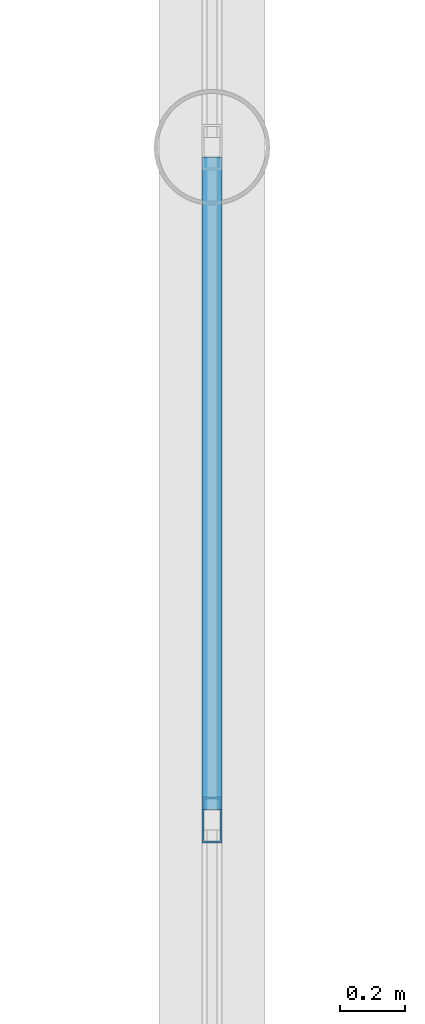
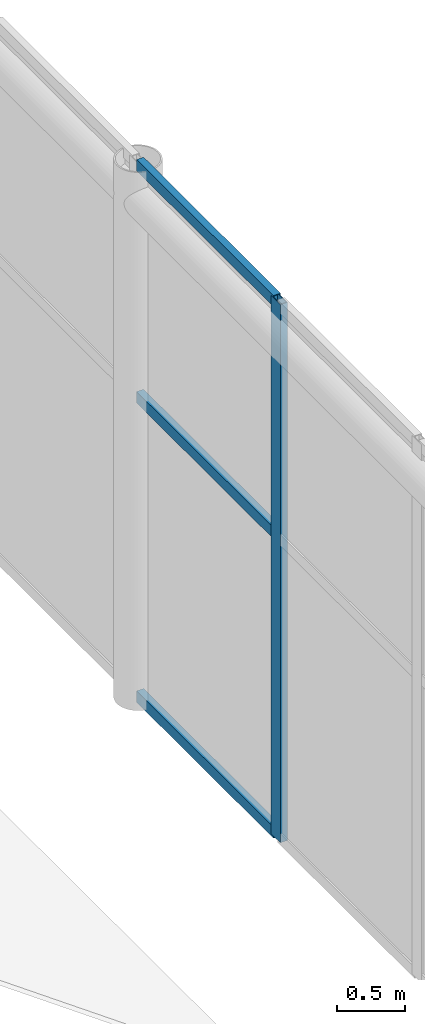
# One storey, part 67 of 167: 4 members, 1 element without a shape of its own.
"""IFC4 building model written with IfcOpenShell, lengths in metres."""

from ifc_helpers import new_model, si_unit, direction, frame, origin, origin_2d, place, context, subcontext, project, spatial, hollow_rectangle, extrude, material, material_profile, profile_set, type_object, element, aggregate, save


model = new_model("IFC4")

# Units and contexts
model_context = context("Model", 3, precision=1e-05, world=origin(), true_north=direction((0.0, 1.0)))
body_context = subcontext(model_context, "Body", "Model", "MODEL_VIEW")
ifc_project = project(units=[si_unit("LENGTHUNIT", "METRE"), si_unit("AREAUNIT", "SQUARE_METRE"), si_unit("VOLUMEUNIT", "CUBIC_METRE"), si_unit("PLANEANGLEUNIT", "RADIAN"), si_unit("MASSUNIT", "GRAM", prefix="KILO")], contexts=[model_context])

# Site, building, storey
site_placement = place(None, origin())
site = spatial("IfcSite", under=ifc_project, at=site_placement, CompositionType="ELEMENT")
building_placement = place(site_placement, origin())
building = spatial("IfcBuilding", under=site, at=building_placement, Name="Catenary Quay Ferry Terminal", CompositionType="ELEMENT")
storey_placement = place(building_placement, frame((0.0, 0.0, 6.0)))
storey = spatial("IfcBuildingStorey", under=building, at=storey_placement, Name="L01", CompositionType="ELEMENT", Elevation=6.0)

# Curtain wall, members
ifc_material_1 = material(Name="Aluminium and glass", Category="aluminium")
curtain_wall_type = type_object("IfcCurtainWallType", Name="CWG", PredefinedType="NOTDEFINED", material=ifc_material_1)
curtain_wall_placement = place(storey_placement, origin())
curtain_wall = element("IfcCurtainWall", 1, at=curtain_wall_placement, inside=storey, type_object=curtain_wall_type, Name="Gable departure hall curtain wall CW16", PredefinedType="NOTDEFINED")
ifc_material_2 = material(Name="Aluminium", Category="aluminium")
ifc_material_profile_1 = material_profile(ifc_material_2, hollow_rectangle(XDim=0.06005859375, YDim=0.139892578125, WallThickness=0.006103515625, at=origin_2d()), Name="MU2")
ifc_profile_set_1 = profile_set([ifc_material_profile_1], Name="Aluminium")
member_type_1 = type_object("IfcMemberType", Name="MU2", PredefinedType="MULLION", material=ifc_profile_set_1)
member_1_placement = place(storey_placement, frame((25.199951171875, 123.9375, 0.0), z_axis=(0.0, 0.0, 1.0), x_axis=(-1.0, 0.0, 0.0)))
member_1 = element("IfcMember", 2, at=member_1_placement, type_object=member_type_1, Name="CW16 mullion 8", PredefinedType="MULLION", context=body_context, shape_type="SweptSolid", body=[
    extrude(hollow_rectangle(XDim=0.06005859375, YDim=0.139892578125, WallThickness=0.006103515625, at=origin_2d()), origin(), (0.0, 0.0, 1.0), 4.800048828125),
])
ifc_material_3 = material(Name="Aluminium", Category="aluminium")
ifc_material_profile_2 = material_profile(ifc_material_3, hollow_rectangle(XDim=0.06005859375, YDim=0.10009765625, WallThickness=0.0048828125, at=origin_2d()), Name="TR2")
ifc_profile_set_2 = profile_set([ifc_material_profile_2], Name="Aluminium")
member_type_2 = type_object("IfcMemberType", Name="TR2", PredefinedType="USERDEFINED", material=ifc_profile_set_2)
member_2_placement = place(storey_placement, frame((25.199951171875, 123.967529296875, 0.030029296875), z_axis=(0.0, 1.0, 0.0), x_axis=(-1.0, 0.0, 0.0)))
member_2 = element("IfcMember", 3, at=member_2_placement, type_object=member_type_2, Name="CW16 transom 8.1", ObjectType="TRANSOM", PredefinedType="USERDEFINED", context=body_context, shape_type="SweptSolid", body=[
    extrude(hollow_rectangle(XDim=0.06005859375, YDim=0.10009765625, WallThickness=0.0048828125, at=origin_2d()), origin(), (0.0, 0.0, 1.0), 2.00244140625),
])
member_3_placement = place(storey_placement, frame((25.199951171875, 123.967529296875, 2.699951171875), z_axis=(0.0, 1.0, 0.0), x_axis=(-1.0, 0.0, 0.0)))
member_3 = element("IfcMember", 4, at=member_3_placement, type_object=member_type_2, Name="CW16 transom 8.2", ObjectType="TRANSOM", PredefinedType="USERDEFINED", context=body_context, shape_type="SweptSolid", body=[
    extrude(hollow_rectangle(XDim=0.06005859375, YDim=0.10009765625, WallThickness=0.0048828125, at=origin_2d()), origin(), (0.0, 0.0, 1.0), 2.00244140625),
])
member_4_placement = place(storey_placement, frame((25.199951171875, 123.967529296875, 4.77001953125), z_axis=(0.0, 1.0, 0.0), x_axis=(-1.0, 0.0, 0.0)))
member_4 = element("IfcMember", 5, at=member_4_placement, type_object=member_type_2, Name="CW16 transom 8.3", ObjectType="TRANSOM", PredefinedType="USERDEFINED", context=body_context, shape_type="SweptSolid", body=[
    extrude(hollow_rectangle(XDim=0.06005859375, YDim=0.10009765625, WallThickness=0.0048828125, at=origin_2d()), origin(), (0.0, 0.0, 1.0), 2.00244140625),
])
aggregate(curtain_wall, [member_1, member_2, member_3, member_4])

save(model, "model.ifc")
